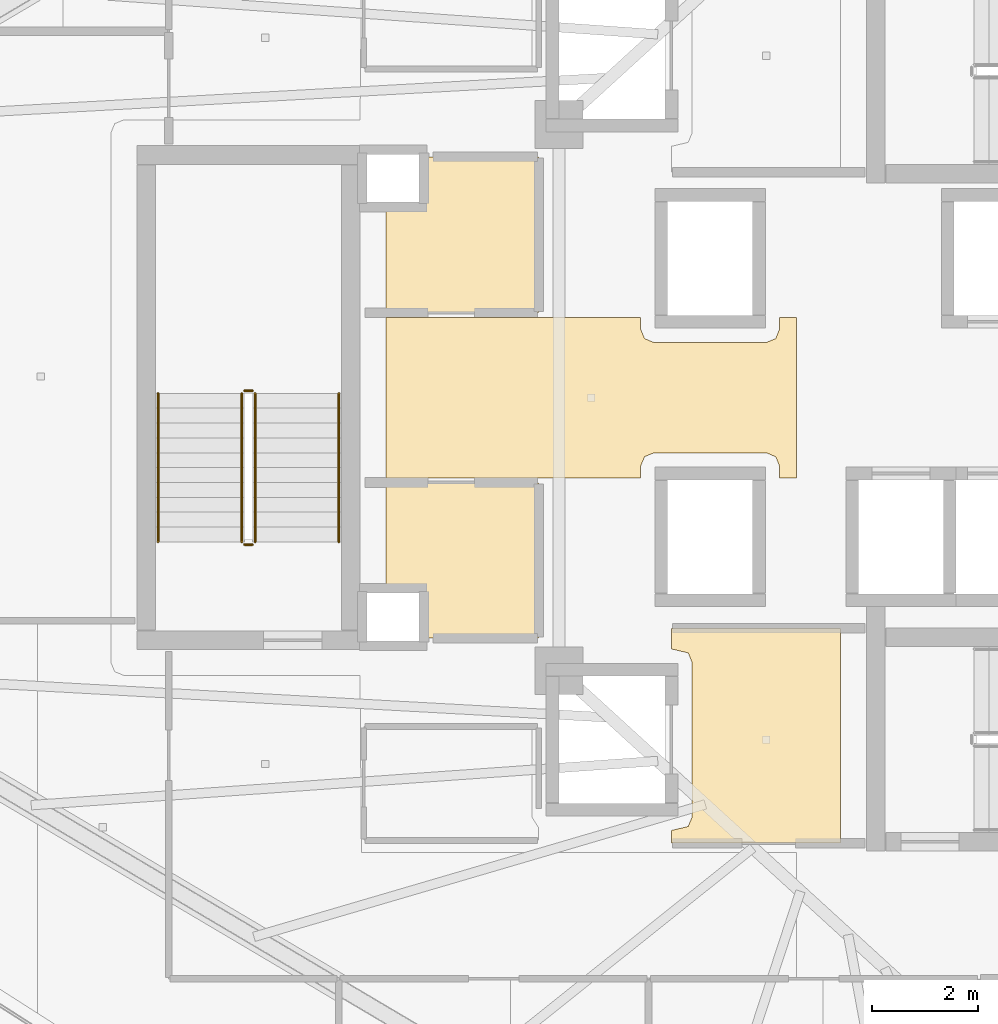
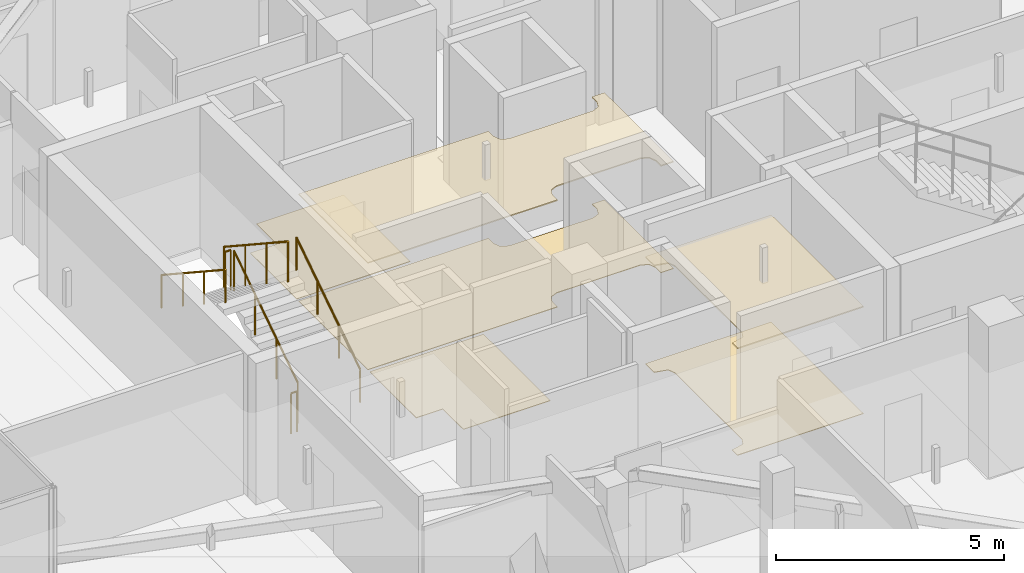
# One storey, part 36 of 40: 6 coverings, 6 railings.
"""IFC4 building model written with IfcOpenShell, lengths in metres."""

from ifc_helpers import new_model, si_unit, direction, frame, origin, origin_2d, place, context, subcontext, project, spatial, polyline, circle, outline, extrude, material, layer, layer_set, type_object, element, save


model = new_model("IFC4")

# Units and contexts
model_context = context("Model", 3, precision=1e-05, world=origin(), true_north=direction((0.0, 1.0)))
body_context = subcontext(model_context, "Body", "Model", "MODEL_VIEW")
ifc_project = project(units=[si_unit("LENGTHUNIT", "METRE"), si_unit("AREAUNIT", "SQUARE_METRE"), si_unit("VOLUMEUNIT", "CUBIC_METRE"), si_unit("PLANEANGLEUNIT", "RADIAN"), si_unit("MASSUNIT", "GRAM", prefix="KILO")], contexts=[model_context])

# Site, building, storey
site_placement = place(None, origin())
site = spatial("IfcSite", under=ifc_project, at=site_placement, CompositionType="ELEMENT")
building_placement = place(site_placement, origin())
building = spatial("IfcBuilding", under=site, at=building_placement, Name="Qorvath Tower", CompositionType="ELEMENT")
storey_placement = place(building_placement, frame((0.0, 0.0, 225.300048828125)))
storey = spatial("IfcBuildingStorey", under=building, at=storey_placement, Name="L52", CompositionType="ELEMENT", Elevation=225.300048828125)

# Coverings
ifc_material_1 = material(Name="Acoustic mineral fibre ceiling tile", Category="gypsum")
ifc_layer_1 = layer(ifc_material_1, 0.030029296875)
ifc_layer_set_1 = layer_set([ifc_layer_1], Name="COV-CEIL")
covering_type_1 = type_object("IfcCoveringType", Name="COV-CEIL", PredefinedType="CEILING", material=ifc_layer_set_1)
covering_1_placement = place(storey_placement, frame((0.0, 0.0, 2.849853515625)))
element("IfcCovering", 1, at=covering_1_placement, inside=storey, type_object=covering_type_1, Name="L52 Suspended Acoustic Ceiling 002", PredefinedType="CEILING", context=body_context, shape_type="SweptSolid", body=[
    extrude(outline(polyline([(-25.18994140625, -8.39501953125), (-25.18994140625, -4.35498046875), (-28.375, -4.35498046875), (-28.375, -4.739990234375), (-28.063232421875, -4.813232421875), (-27.989990234375, -4.989990234375), (-27.989990234375, -7.909912109375), (-28.063232421875, -8.086669921875), (-28.375, -8.159912109375), (-28.375, -8.39501953125), (-25.18994140625, -8.39501953125)])), origin(), (0.0, 0.0, 1.0), 0.030029296875),
])
covering_2_placement = place(storey_placement, frame((0.0, 0.0, 2.849853515625)))
element("IfcCovering", 2, at=covering_2_placement, inside=storey, type_object=covering_type_1, Name="L52 Suspended Acoustic Ceiling 011", PredefinedType="CEILING", context=body_context, shape_type="SweptSolid", body=[
    extrude(outline(polyline([(-26.019775390625, -1.514892578125), (-26.019775390625, 1.514892578125), (-26.340087890625, 1.514892578125), (-26.340087890625, 1.2900390625), (-26.413330078125, 1.11328125), (-26.590087890625, 1.0400390625), (-28.7099609375, 1.0400390625), (-28.88671875, 1.11328125), (-28.9599609375, 1.2900390625), (-28.9599609375, 1.514892578125), (-33.760009765625, 1.514892578125), (-33.760009765625, -1.514892578125), (-28.9599609375, -1.514892578125), (-28.9599609375, -1.2900390625), (-28.88671875, -1.11328125), (-28.7099609375, -1.0400390625), (-26.590087890625, -1.0400390625), (-26.413330078125, -1.11328125), (-26.340087890625, -1.2900390625), (-26.340087890625, -1.514892578125), (-26.019775390625, -1.514892578125)])), origin(), (0.0, 0.0, 1.0), 0.030029296875),
])
ifc_material_2 = material(Name="Low-VOC modular carpet tile", Category="textile")
ifc_layer_2 = layer(ifc_material_2, 0.014892578125)
ifc_layer_set_2 = layer_set([ifc_layer_2], Name="COV-FLOOR-CPT")
covering_type_2 = type_object("IfcCoveringType", Name="COV-FLOOR-CPT", PredefinedType="FLOORING", material=ifc_layer_set_2)
covering_3_placement = place(storey_placement, origin())
element("IfcCovering", 3, at=covering_3_placement, inside=storey, type_object=covering_type_2, Name="L52 Floor Finish 006", PredefinedType="FLOORING", context=body_context, shape_type="SweptSolid", body=[
    extrude(outline(polyline([(-33.760009765625, 3.636962890625), (-33.760009765625, 1.60498046875), (-30.885009765625, 1.60498046875), (-30.885009765625, 4.534912109375), (-33.0869140625, 4.534912109375), (-33.092041015625, 3.636962890625), (-33.760009765625, 3.636962890625)])), origin(), (0.0, 0.0, 1.0), 0.014892578125),
])
covering_4_placement = place(storey_placement, origin())
element("IfcCovering", 4, at=covering_4_placement, inside=storey, type_object=covering_type_2, Name="L52 Floor Finish 008", PredefinedType="FLOORING", context=body_context, shape_type="SweptSolid", body=[
    extrude(outline(polyline([(-30.885009765625, -4.534912109375), (-30.885009765625, -1.60498046875), (-33.760009765625, -1.60498046875), (-33.760009765625, -3.636962890625), (-33.08837890625, -3.638427734375), (-33.0869140625, -4.534912109375), (-30.885009765625, -4.534912109375)])), origin(), (0.0, 0.0, 1.0), 0.014892578125),
])
ifc_material_3 = material(Name="Polished epoxy terrazzo flooring", Category="concrete")
ifc_layer_3 = layer(ifc_material_3, 0.02001953125)
ifc_layer_set_3 = layer_set([ifc_layer_3], Name="COV-FLOOR-TRZ")
covering_type_3 = type_object("IfcCoveringType", Name="COV-FLOOR-TRZ", PredefinedType="FLOORING", material=ifc_layer_set_3)
covering_5_placement = place(storey_placement, origin())
element("IfcCovering", 5, at=covering_5_placement, inside=storey, type_object=covering_type_3, Name="L52 Floor Finish 002", PredefinedType="FLOORING", context=body_context, shape_type="SweptSolid", body=[
    extrude(outline(polyline([(-25.18994140625, -8.39501953125), (-25.18994140625, -4.35498046875), (-28.375, -4.35498046875), (-28.375, -4.739990234375), (-28.063232421875, -4.813232421875), (-27.989990234375, -4.989990234375), (-27.989990234375, -7.909912109375), (-28.063232421875, -8.086669921875), (-28.375, -8.159912109375), (-28.375, -8.39501953125), (-25.18994140625, -8.39501953125)])), origin(), (0.0, 0.0, 1.0), 0.014892578125),
])
covering_6_placement = place(storey_placement, origin())
element("IfcCovering", 6, at=covering_6_placement, inside=storey, type_object=covering_type_3, Name="L52 Floor Finish 011", PredefinedType="FLOORING", context=body_context, shape_type="SweptSolid", body=[
    extrude(outline(polyline([(-26.019775390625, -1.514892578125), (-26.019775390625, 1.514892578125), (-26.340087890625, 1.514892578125), (-26.340087890625, 1.2900390625), (-26.413330078125, 1.11328125), (-26.590087890625, 1.0400390625), (-28.7099609375, 1.0400390625), (-28.88671875, 1.11328125), (-28.9599609375, 1.2900390625), (-28.9599609375, 1.514892578125), (-33.760009765625, 1.514892578125), (-33.760009765625, -1.514892578125), (-28.9599609375, -1.514892578125), (-28.9599609375, -1.2900390625), (-28.88671875, -1.11328125), (-28.7099609375, -1.0400390625), (-26.590087890625, -1.0400390625), (-26.413330078125, -1.11328125), (-26.340087890625, -1.2900390625), (-26.340087890625, -1.514892578125), (-26.019775390625, -1.514892578125)])), origin(), (0.0, 0.0, 1.0), 0.014892578125),
])

# Railings
ifc_material_4 = material(Name="Painted galvanised steel", Category="steel")
railing_type_1 = type_object("IfcRailingType", Name="RL-STR-GRD", PredefinedType="GUARDRAIL", material=ifc_material_4)
railing_1_placement = place(storey_placement, frame((-36.22998046875, -2.719970703125, 0.18408203125)))
element("IfcRailing", 7, at=railing_1_placement, inside=storey, type_object=railing_type_1, Name="L52 TS3 stair guard 1", PredefinedType="GUARDRAIL", context=body_context, shape_type="SweptSolid", body=[
    extrude(circle(Radius=0.02392578125, at=origin_2d()), frame((0.0, 0.0, 1.076171875), z_axis=(0.0, 0.835597507184, 0.549342157483), x_axis=(-1.0, 0.0, 0.0)), (0.0, 0.0, 1.0), 3.35107421875),
    extrude(circle(Radius=0.02099609375, at=origin_2d()), origin(), (0.0, 0.0, 1.0), 1.052001953125),
    extrude(circle(Radius=0.02099609375, at=origin_2d()), frame((0.0, 0.933349609375, 0.613525390625)), (0.0, 0.0, 1.0), 1.052001953125),
    extrude(circle(Radius=0.02099609375, at=origin_2d()), frame((0.0, 1.86669921875, 1.227294921875)), (0.0, 0.0, 1.0), 1.052001953125),
    extrude(circle(Radius=0.02099609375, at=origin_2d()), frame((0.0, 2.800048828125, 1.8408203125)), (0.0, 0.0, 1.0), 1.052001953125),
])
railing_2_placement = place(storey_placement, frame((-36.280029296875, 0.1298828125, 2.02490234375)))
element("IfcRailing", 8, at=railing_2_placement, inside=storey, type_object=railing_type_1, Name="L52 TS3 stair guard 2", PredefinedType="GUARDRAIL", context=body_context, shape_type="SweptSolid", body=[
    extrude(circle(Radius=0.02392578125, at=origin_2d()), frame((0.0, 0.0, 1.076171875), z_axis=(-1.0, 0.0, 0.0), x_axis=(0.0, -1.0, 0.0)), (0.0, 0.0, 1.0), 0.14990234375),
    extrude(circle(Radius=0.02099609375, at=origin_2d()), origin(), (0.0, 0.0, 1.0), 1.052001953125),
    extrude(circle(Radius=0.02099609375, at=origin_2d()), frame((-0.14990234375, 0.0, 0.0)), (0.0, 0.0, 1.0), 1.052001953125),
])
railing_3_placement = place(storey_placement, frame((-36.47998046875, 0.080078125, 2.208984375)))
element("IfcRailing", 9, at=railing_3_placement, inside=storey, type_object=railing_type_1, Name="L52 TS3 stair guard 3", PredefinedType="GUARDRAIL", context=body_context, shape_type="SweptSolid", body=[
    extrude(circle(Radius=0.02392578125, at=origin_2d()), frame((0.0, 0.0, 1.076171875), z_axis=(0.0, -0.83556406348, 0.549393024911), x_axis=(1.0, 0.0, 0.0)), (0.0, 0.0, 1.0), 3.35107421875),
    extrude(circle(Radius=0.02099609375, at=origin_2d()), origin(), (0.0, 0.0, 1.0), 1.052001953125),
    extrude(circle(Radius=0.02099609375, at=origin_2d()), frame((0.0, -0.933349609375, 0.61376953125)), (0.0, 0.0, 1.0), 1.052001953125),
    extrude(circle(Radius=0.02099609375, at=origin_2d()), frame((0.0, -1.86669921875, 1.227294921875)), (0.0, 0.0, 1.0), 1.052001953125),
    extrude(circle(Radius=0.02099609375, at=origin_2d()), frame((0.0, -2.800048828125, 1.841064453125)), (0.0, 0.0, 1.0), 1.052001953125),
])
railing_4_placement = place(storey_placement, frame((-36.280029296875, -2.77001953125, 0.0)))
element("IfcRailing", 10, at=railing_4_placement, inside=storey, type_object=railing_type_1, Name="L52 TS3 stair guard 4", PredefinedType="GUARDRAIL", context=body_context, shape_type="SweptSolid", body=[
    extrude(circle(Radius=0.02392578125, at=origin_2d()), frame((0.0, 0.0, 1.076171875), z_axis=(-1.0, 0.0, 0.0), x_axis=(0.0, -1.0, 0.0)), (0.0, 0.0, 1.0), 0.14990234375),
    extrude(circle(Radius=0.02099609375, at=origin_2d()), origin(), (0.0, 0.0, 1.0), 1.052001953125),
    extrude(circle(Radius=0.02099609375, at=origin_2d()), frame((-0.14990234375, 0.0, 0.0)), (0.0, 0.0, 1.0), 1.052001953125),
])
ifc_material_5 = material(Name="Brushed stainless steel AISI 304", Category="steel")
railing_type_2 = type_object("IfcRailingType", Name="RL-STR-HND", PredefinedType="HANDRAIL", material=ifc_material_5)
railing_5_placement = place(storey_placement, frame((-34.64990234375, -2.719970703125, 0.18408203125)))
element("IfcRailing", 11, at=railing_5_placement, inside=storey, type_object=railing_type_2, Name="L52 TS3 stair handrail 1", PredefinedType="HANDRAIL", context=body_context, shape_type="SweptSolid", body=[
    extrude(circle(Radius=0.02392578125, at=origin_2d()), frame((0.0, 0.0, 0.8759765625), z_axis=(0.0, 0.835597507184, 0.549342157483), x_axis=(-1.0, 0.0, 0.0)), (0.0, 0.0, 1.0), 3.35107421875),
    extrude(circle(Radius=0.02099609375, at=origin_2d()), origin(), (0.0, 0.0, 1.0), 0.851806640625),
    extrude(circle(Radius=0.02099609375, at=origin_2d()), frame((0.0, 0.933349609375, 0.613525390625)), (0.0, 0.0, 1.0), 0.851806640625),
    extrude(circle(Radius=0.02099609375, at=origin_2d()), frame((0.0, 1.86669921875, 1.227294921875)), (0.0, 0.0, 1.0), 0.851806640625),
    extrude(circle(Radius=0.02099609375, at=origin_2d()), frame((0.0, 2.800048828125, 1.8408203125)), (0.0, 0.0, 1.0), 0.851806640625),
])
railing_6_placement = place(storey_placement, frame((-38.06005859375, 0.080078125, 2.208984375)))
element("IfcRailing", 12, at=railing_6_placement, inside=storey, type_object=railing_type_2, Name="L52 TS3 stair handrail 2", PredefinedType="HANDRAIL", context=body_context, shape_type="SweptSolid", body=[
    extrude(circle(Radius=0.02392578125, at=origin_2d()), frame((0.0, 0.0, 0.8759765625), z_axis=(0.0, -0.83556406348, 0.549393024911), x_axis=(1.0, 0.0, 0.0)), (0.0, 0.0, 1.0), 3.35107421875),
    extrude(circle(Radius=0.02099609375, at=origin_2d()), origin(), (0.0, 0.0, 1.0), 0.851806640625),
    extrude(circle(Radius=0.02099609375, at=origin_2d()), frame((0.0, -0.933349609375, 0.61376953125)), (0.0, 0.0, 1.0), 0.851806640625),
    extrude(circle(Radius=0.02099609375, at=origin_2d()), frame((0.0, -1.86669921875, 1.227294921875)), (0.0, 0.0, 1.0), 0.851806640625),
    extrude(circle(Radius=0.02099609375, at=origin_2d()), frame((0.0, -2.800048828125, 1.841064453125)), (0.0, 0.0, 1.0), 0.851806640625),
])

save(model, "model.ifc")
